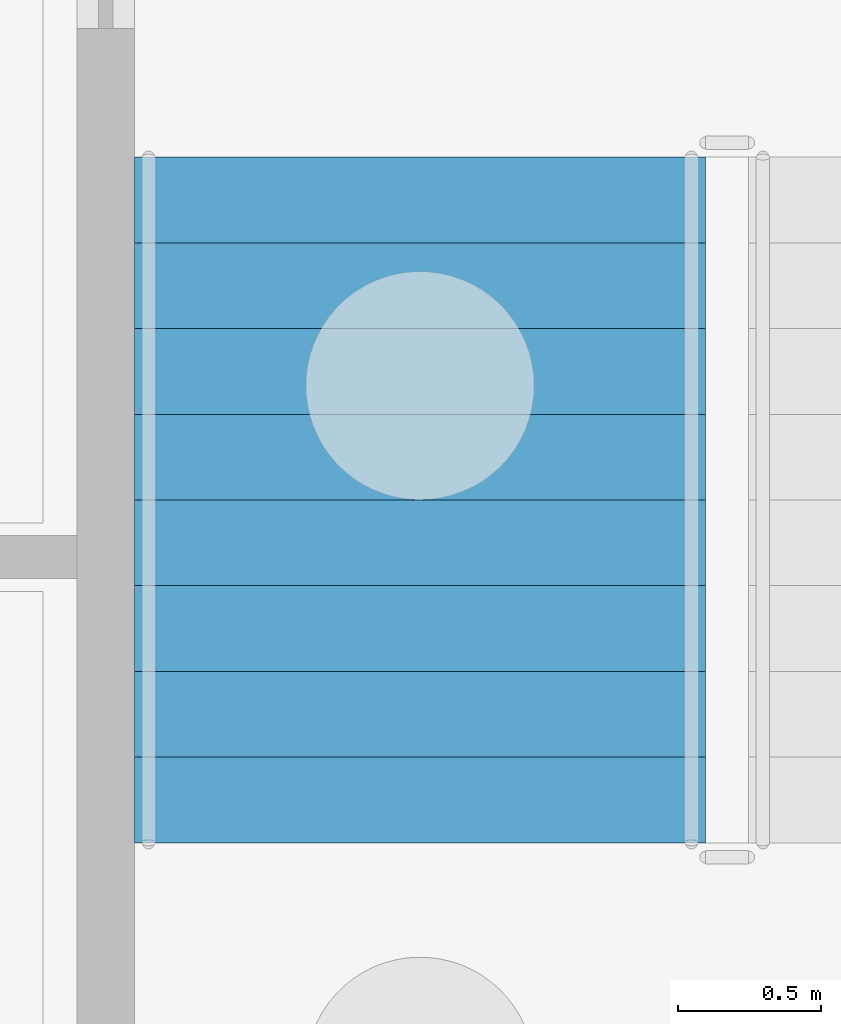
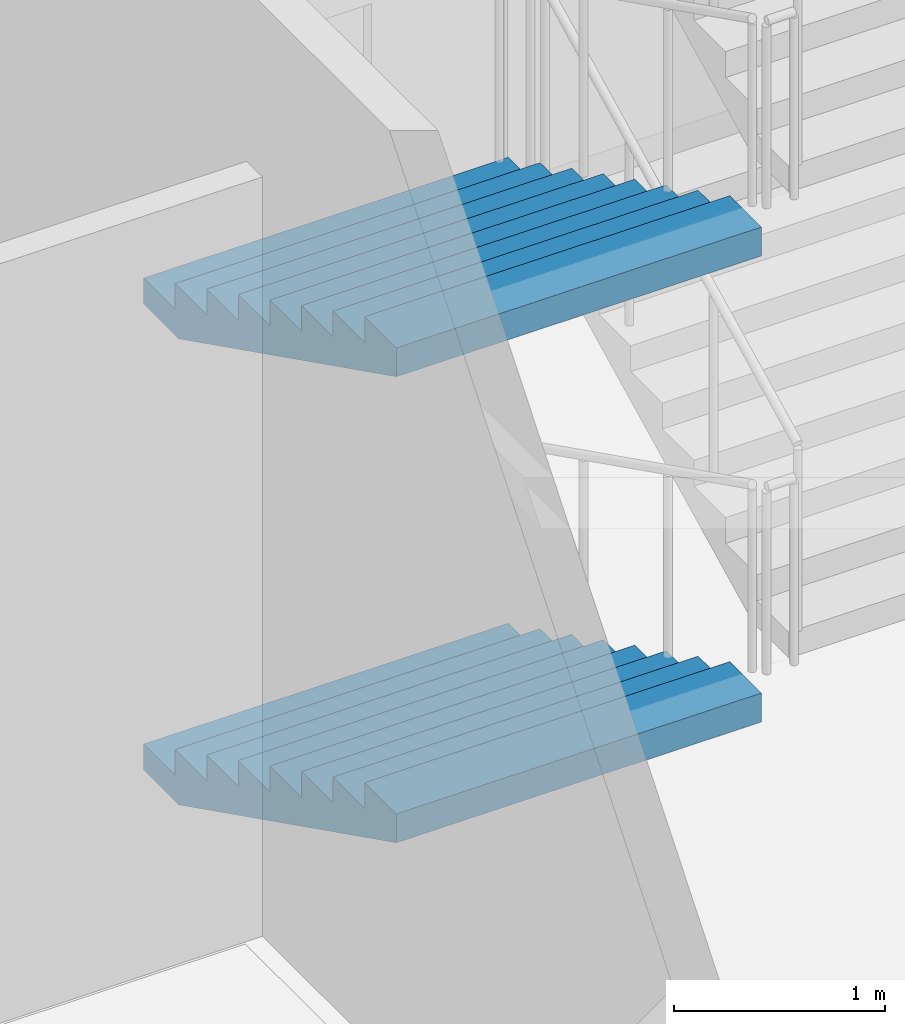
# One storey, part 92 of 129: 2 stair flights, 1 element without a shape of its own.
"""IFC4 building model written with IfcOpenShell, lengths in metres."""

from ifc_helpers import new_model, si_unit, direction, frame, origin, place, context, subcontext, project, spatial, faceted_brep, material, type_object, element, aggregate, save


model = new_model("IFC4")

# Units and contexts
model_context = context("Model", 3, precision=1e-05, world=origin(), true_north=direction((0.0, 1.0)))
body_context = subcontext(model_context, "Body", "Model", "MODEL_VIEW")
ifc_project = project(units=[si_unit("LENGTHUNIT", "METRE"), si_unit("AREAUNIT", "SQUARE_METRE"), si_unit("VOLUMEUNIT", "CUBIC_METRE"), si_unit("PLANEANGLEUNIT", "RADIAN"), si_unit("MASSUNIT", "GRAM", prefix="KILO")], contexts=[model_context])

# Site, building, storey
site_placement = place(None, origin())
site = spatial("IfcSite", under=ifc_project, at=site_placement, CompositionType="ELEMENT")
building_placement = place(site_placement, origin())
building = spatial("IfcBuilding", under=site, at=building_placement, Name="Kiln Court Media Centre", CompositionType="ELEMENT")
storey_placement = place(building_placement, origin())
storey = spatial("IfcBuildingStorey", under=building, at=storey_placement, Name="L00", CompositionType="ELEMENT", Elevation=0.0)

# Stair, stair flights
ifc_material_1 = material(Name="Concrete C40/50", Category="concrete")
stair_type = type_object("IfcStairType", Name="Concrete C40/50 dog-leg stair 2000 wide, 150 riser", PredefinedType="HALF_TURN_STAIR", material=ifc_material_1)
stair_placement = place(storey_placement, origin())
stair = element("IfcStair", 1, at=stair_placement, inside=storey, type_object=stair_type, Name="ST-12 L00", PredefinedType="HALF_TURN_STAIR")
ifc_material_2 = material(Name="Concrete C40/50", Category="concrete")
stair_flight_type = type_object("IfcStairFlightType", Name="Concrete C40/50 stair flight 2000 wide, 150 riser, 300 going", PredefinedType="STRAIGHT", material=ifc_material_2)
stair_flight_1_placement = place(storey_placement, frame((97.199951171875, 64.39990234375, 0.0), z_axis=(0.0, 0.0, 1.0), x_axis=(0.0, -1.0, 0.0)))
stair_flight_1 = element("IfcStairFlight", 2, at=stair_flight_1_placement, type_object=stair_flight_type, Name="L00-ST-5011 flight 5044", NumberOfRisers=9, NumberOfTreads=8, PredefinedType="STRAIGHT", RiserHeight=0.15, TreadLength=0.3, context=body_context, shape_type="Brep", body=[
    faceted_brep([(0.335205078125, -1.0, 0.0), (2.39990234375, -1.0, 1.032470703125), (2.39990234375, -1.0, 1.199951171875), (2.10009765625, -1.0, 1.199951171875), (2.10009765625, -1.0, 1.050048828125), (1.800048828125, -1.0, 1.050048828125), (1.800048828125, -1.0, 0.89990234375), (1.5, -1.0, 0.89990234375), (1.5, -1.0, 0.75), (1.199951171875, -1.0, 0.75), (1.199951171875, -1.0, 0.60009765625), (0.89990234375, -1.0, 0.60009765625), (0.89990234375, -1.0, 0.449951171875), (0.60009765625, -1.0, 0.449951171875), (0.60009765625, -1.0, 0.300048828125), (0.300048828125, -1.0, 0.300048828125), (0.300048828125, -1.0, 0.14990234375), (0.0, -1.0, 0.14990234375), (0.0, -1.0, 0.0), (0.0, 1.0, 0.0), (0.0, 1.0, 0.14990234375), (0.300048828125, 1.0, 0.14990234375), (0.300048828125, 1.0, 0.300048828125), (0.60009765625, 1.0, 0.300048828125), (0.60009765625, 1.0, 0.449951171875), (0.89990234375, 1.0, 0.449951171875), (0.89990234375, 1.0, 0.60009765625), (1.199951171875, 1.0, 0.60009765625), (1.199951171875, 1.0, 0.75), (1.5, 1.0, 0.75), (1.5, 1.0, 0.89990234375), (1.800048828125, 1.0, 0.89990234375), (1.800048828125, 1.0, 1.050048828125), (2.10009765625, 1.0, 1.050048828125), (2.10009765625, 1.0, 1.199951171875), (2.39990234375, 1.0, 1.199951171875), (2.39990234375, 1.0, 1.032470703125), (0.335205078125, 1.0, 0.0), (2.39990234375, 0.10009765625, 1.032470703125), (0.335205078125, 0.10009765625, 0.0), (2.39990234375, 0.080078125, 1.032470703125), (0.335205078125, 0.080078125, 0.0), (2.39990234375, 0.06005859375, 1.032470703125), (0.335205078125, 0.06005859375, 0.0), (2.39990234375, 0.0400390625, 1.032470703125), (0.335205078125, 0.0400390625, 0.0), (2.39990234375, 0.02001953125, 1.032470703125), (0.335205078125, 0.02001953125, 0.0), (2.39990234375, 0.0, 1.032470703125), (0.335205078125, 0.0, 0.0), (2.39990234375, -0.02001953125, 1.032470703125), (0.335205078125, -0.02001953125, 0.0), (2.39990234375, -0.0400390625, 1.032470703125), (0.335205078125, -0.0400390625, 0.0), (2.39990234375, -0.06005859375, 1.032470703125), (0.335205078125, -0.06005859375, 0.0), (2.39990234375, -0.080078125, 1.032470703125), (0.335205078125, -0.080078125, 0.0), (2.39990234375, -0.10009765625, 1.032470703125), (0.335205078125, -0.10009765625, 0.0), (2.39990234375, 0.10009765625, 1.199951171875), (2.39990234375, 0.080078125, 1.199951171875), (2.39990234375, 0.06005859375, 1.199951171875), (2.39990234375, 0.0400390625, 1.199951171875), (2.39990234375, 0.02001953125, 1.199951171875), (2.39990234375, 0.0, 1.199951171875), (2.39990234375, -0.02001953125, 1.199951171875), (2.39990234375, -0.0400390625, 1.199951171875), (2.39990234375, -0.06005859375, 1.199951171875), (2.39990234375, -0.080078125, 1.199951171875), (2.39990234375, -0.10009765625, 1.199951171875), (2.10009765625, 0.10009765625, 1.199951171875), (2.10009765625, 0.080078125, 1.199951171875), (2.10009765625, 0.06005859375, 1.199951171875), (2.10009765625, 0.0400390625, 1.199951171875), (2.10009765625, 0.02001953125, 1.199951171875), (2.10009765625, 0.0, 1.199951171875), (2.10009765625, -0.02001953125, 1.199951171875), (2.10009765625, -0.0400390625, 1.199951171875), (2.10009765625, -0.06005859375, 1.199951171875), (2.10009765625, -0.080078125, 1.199951171875), (2.10009765625, -0.10009765625, 1.199951171875), (2.10009765625, 0.10009765625, 1.050048828125), (2.10009765625, 0.080078125, 1.050048828125), (2.10009765625, 0.06005859375, 1.050048828125), (2.10009765625, 0.0400390625, 1.050048828125), (2.10009765625, 0.02001953125, 1.050048828125), (2.10009765625, 0.0, 1.050048828125), (2.10009765625, -0.02001953125, 1.050048828125), (2.10009765625, -0.0400390625, 1.050048828125), (2.10009765625, -0.06005859375, 1.050048828125), (2.10009765625, -0.080078125, 1.050048828125), (2.10009765625, -0.10009765625, 1.050048828125), (1.800048828125, 0.10009765625, 1.050048828125), (1.800048828125, 0.080078125, 1.050048828125), (1.800048828125, 0.06005859375, 1.050048828125), (1.800048828125, 0.0400390625, 1.050048828125), (1.800048828125, 0.02001953125, 1.050048828125), (1.800048828125, 0.0, 1.050048828125), (1.800048828125, -0.02001953125, 1.050048828125), (1.800048828125, -0.0400390625, 1.050048828125), (1.800048828125, -0.06005859375, 1.050048828125), (1.800048828125, -0.080078125, 1.050048828125), (1.800048828125, -0.10009765625, 1.050048828125), (1.800048828125, 0.10009765625, 0.89990234375), (1.800048828125, 0.080078125, 0.89990234375), (1.800048828125, 0.06005859375, 0.89990234375), (1.800048828125, 0.0400390625, 0.89990234375), (1.800048828125, 0.02001953125, 0.89990234375), (1.800048828125, 0.0, 0.89990234375), (1.800048828125, -0.02001953125, 0.89990234375), (1.800048828125, -0.0400390625, 0.89990234375), (1.800048828125, -0.06005859375, 0.89990234375), (1.800048828125, -0.080078125, 0.89990234375), (1.800048828125, -0.10009765625, 0.89990234375), (1.5, 0.10009765625, 0.89990234375), (1.5, 0.080078125, 0.89990234375), (1.5, 0.06005859375, 0.89990234375), (1.5, 0.0400390625, 0.89990234375), (1.5, 0.02001953125, 0.89990234375), (1.5, 0.0, 0.89990234375), (1.5, -0.02001953125, 0.89990234375), (1.5, -0.0400390625, 0.89990234375), (1.5, -0.06005859375, 0.89990234375), (1.5, -0.080078125, 0.89990234375), (1.5, -0.10009765625, 0.89990234375), (1.5, 0.10009765625, 0.75), (1.5, 0.080078125, 0.75), (1.5, 0.06005859375, 0.75), (1.5, 0.0400390625, 0.75), (1.5, 0.02001953125, 0.75), (1.5, 0.0, 0.75), (1.5, -0.02001953125, 0.75), (1.5, -0.0400390625, 0.75), (1.5, -0.06005859375, 0.75), (1.5, -0.080078125, 0.75), (1.5, -0.10009765625, 0.75), (1.199951171875, 0.10009765625, 0.75), (1.199951171875, 0.080078125, 0.75), (1.199951171875, 0.06005859375, 0.75), (1.199951171875, 0.0400390625, 0.75), (1.199951171875, 0.02001953125, 0.75), (1.199951171875, 0.0, 0.75), (1.199951171875, -0.02001953125, 0.75), (1.199951171875, -0.0400390625, 0.75), (1.199951171875, -0.06005859375, 0.75), (1.199951171875, -0.080078125, 0.75), (1.199951171875, -0.10009765625, 0.75), (1.199951171875, 0.10009765625, 0.60009765625), (1.199951171875, 0.080078125, 0.60009765625), (1.199951171875, 0.06005859375, 0.60009765625), (1.199951171875, 0.0400390625, 0.60009765625), (1.199951171875, 0.02001953125, 0.60009765625), (1.199951171875, 0.0, 0.60009765625), (1.199951171875, -0.02001953125, 0.60009765625), (1.199951171875, -0.0400390625, 0.60009765625), (1.199951171875, -0.06005859375, 0.60009765625), (1.199951171875, -0.080078125, 0.60009765625), (1.199951171875, -0.10009765625, 0.60009765625), (0.89990234375, 0.10009765625, 0.60009765625), (0.89990234375, 0.080078125, 0.60009765625), (0.89990234375, 0.06005859375, 0.60009765625), (0.89990234375, 0.0400390625, 0.60009765625), (0.89990234375, 0.02001953125, 0.60009765625), (0.89990234375, 0.0, 0.60009765625), (0.89990234375, -0.02001953125, 0.60009765625), (0.89990234375, -0.0400390625, 0.60009765625), (0.89990234375, -0.06005859375, 0.60009765625), (0.89990234375, -0.080078125, 0.60009765625), (0.89990234375, -0.10009765625, 0.60009765625), (0.89990234375, 0.10009765625, 0.449951171875), (0.89990234375, 0.080078125, 0.449951171875), (0.89990234375, 0.06005859375, 0.449951171875), (0.89990234375, 0.0400390625, 0.449951171875), (0.89990234375, 0.02001953125, 0.449951171875), (0.89990234375, 0.0, 0.449951171875), (0.89990234375, -0.02001953125, 0.449951171875), (0.89990234375, -0.0400390625, 0.449951171875), (0.89990234375, -0.06005859375, 0.449951171875), (0.89990234375, -0.080078125, 0.449951171875), (0.89990234375, -0.10009765625, 0.449951171875), (0.60009765625, 0.10009765625, 0.449951171875), (0.60009765625, 0.080078125, 0.449951171875), (0.60009765625, 0.06005859375, 0.449951171875), (0.60009765625, 0.0400390625, 0.449951171875), (0.60009765625, 0.02001953125, 0.449951171875), (0.60009765625, 0.0, 0.449951171875), (0.60009765625, -0.02001953125, 0.449951171875), (0.60009765625, -0.0400390625, 0.449951171875), (0.60009765625, -0.06005859375, 0.449951171875), (0.60009765625, -0.080078125, 0.449951171875), (0.60009765625, -0.10009765625, 0.449951171875), (0.60009765625, 0.10009765625, 0.300048828125), (0.60009765625, 0.080078125, 0.300048828125), (0.60009765625, 0.06005859375, 0.300048828125), (0.60009765625, 0.0400390625, 0.300048828125), (0.60009765625, 0.02001953125, 0.300048828125), (0.60009765625, 0.0, 0.300048828125), (0.60009765625, -0.02001953125, 0.300048828125), (0.60009765625, -0.0400390625, 0.300048828125), (0.60009765625, -0.06005859375, 0.300048828125), (0.60009765625, -0.080078125, 0.300048828125), (0.60009765625, -0.10009765625, 0.300048828125), (0.300048828125, 0.10009765625, 0.300048828125), (0.300048828125, 0.080078125, 0.300048828125), (0.300048828125, 0.06005859375, 0.300048828125), (0.300048828125, 0.0400390625, 0.300048828125), (0.300048828125, 0.02001953125, 0.300048828125), (0.300048828125, 0.0, 0.300048828125), (0.300048828125, -0.02001953125, 0.300048828125), (0.300048828125, -0.0400390625, 0.300048828125), (0.300048828125, -0.06005859375, 0.300048828125), (0.300048828125, -0.080078125, 0.300048828125), (0.300048828125, -0.10009765625, 0.300048828125), (0.300048828125, 0.10009765625, 0.14990234375), (0.300048828125, 0.080078125, 0.14990234375), (0.300048828125, 0.06005859375, 0.14990234375), (0.300048828125, 0.0400390625, 0.14990234375), (0.300048828125, 0.02001953125, 0.14990234375), (0.300048828125, 0.0, 0.14990234375), (0.300048828125, -0.02001953125, 0.14990234375), (0.300048828125, -0.0400390625, 0.14990234375), (0.300048828125, -0.06005859375, 0.14990234375), (0.300048828125, -0.080078125, 0.14990234375), (0.300048828125, -0.10009765625, 0.14990234375), (0.0, 0.10009765625, 0.14990234375), (0.0, 0.080078125, 0.14990234375), (0.0, 0.06005859375, 0.14990234375), (0.0, 0.0400390625, 0.14990234375), (0.0, 0.02001953125, 0.14990234375), (0.0, 0.0, 0.14990234375), (0.0, -0.02001953125, 0.14990234375), (0.0, -0.0400390625, 0.14990234375), (0.0, -0.06005859375, 0.14990234375), (0.0, -0.080078125, 0.14990234375), (0.0, -0.10009765625, 0.14990234375), (0.0, 0.10009765625, 0.0), (0.0, 0.080078125, 0.0), (0.0, 0.06005859375, 0.0), (0.0, 0.0400390625, 0.0), (0.0, 0.02001953125, 0.0), (0.0, 0.0, 0.0), (0.0, -0.02001953125, 0.0), (0.0, -0.0400390625, 0.0), (0.0, -0.06005859375, 0.0), (0.0, -0.080078125, 0.0), (0.0, -0.10009765625, 0.0)], [[[0, 1, 2, 3, 4, 5, 6, 7, 8, 9, 10, 11, 12, 13, 14, 15, 16, 17, 18]], [[19, 20, 21, 22, 23, 24, 25, 26, 27, 28, 29, 30, 31, 32, 33, 34, 35, 36, 37]], [[37, 36, 38, 39]], [[39, 38, 40, 41]], [[41, 40, 42, 43]], [[43, 42, 44, 45]], [[45, 44, 46, 47]], [[47, 46, 48, 49]], [[49, 48, 50, 51]], [[51, 50, 52, 53]], [[53, 52, 54, 55]], [[55, 54, 56, 57]], [[57, 56, 58, 59]], [[59, 58, 1, 0]], [[36, 35, 60, 38]], [[38, 60, 61, 40]], [[40, 61, 62, 42]], [[42, 62, 63, 44]], [[44, 63, 64, 46]], [[46, 64, 65, 48]], [[48, 65, 66, 50]], [[50, 66, 67, 52]], [[52, 67, 68, 54]], [[54, 68, 69, 56]], [[56, 69, 70, 58]], [[58, 70, 2, 1]], [[35, 34, 71, 60]], [[60, 71, 72, 61]], [[61, 72, 73, 62]], [[62, 73, 74, 63]], [[63, 74, 75, 64]], [[64, 75, 76, 65]], [[65, 76, 77, 66]], [[66, 77, 78, 67]], [[67, 78, 79, 68]], [[68, 79, 80, 69]], [[69, 80, 81, 70]], [[70, 81, 3, 2]], [[34, 33, 82, 71]], [[71, 82, 83, 72]], [[72, 83, 84, 73]], [[73, 84, 85, 74]], [[74, 85, 86, 75]], [[75, 86, 87, 76]], [[76, 87, 88, 77]], [[77, 88, 89, 78]], [[78, 89, 90, 79]], [[79, 90, 91, 80]], [[80, 91, 92, 81]], [[81, 92, 4, 3]], [[33, 32, 93, 82]], [[82, 93, 94, 83]], [[83, 94, 95, 84]], [[84, 95, 96, 85]], [[85, 96, 97, 86]], [[86, 97, 98, 87]], [[87, 98, 99, 88]], [[88, 99, 100, 89]], [[89, 100, 101, 90]], [[90, 101, 102, 91]], [[91, 102, 103, 92]], [[92, 103, 5, 4]], [[32, 31, 104, 93]], [[93, 104, 105, 94]], [[94, 105, 106, 95]], [[95, 106, 107, 96]], [[96, 107, 108, 97]], [[97, 108, 109, 98]], [[98, 109, 110, 99]], [[99, 110, 111, 100]], [[100, 111, 112, 101]], [[101, 112, 113, 102]], [[102, 113, 114, 103]], [[103, 114, 6, 5]], [[31, 30, 115, 104]], [[104, 115, 116, 105]], [[105, 116, 117, 106]], [[106, 117, 118, 107]], [[107, 118, 119, 108]], [[108, 119, 120, 109]], [[109, 120, 121, 110]], [[110, 121, 122, 111]], [[111, 122, 123, 112]], [[112, 123, 124, 113]], [[113, 124, 125, 114]], [[114, 125, 7, 6]], [[30, 29, 126, 115]], [[115, 126, 127, 116]], [[116, 127, 128, 117]], [[117, 128, 129, 118]], [[118, 129, 130, 119]], [[119, 130, 131, 120]], [[120, 131, 132, 121]], [[121, 132, 133, 122]], [[122, 133, 134, 123]], [[123, 134, 135, 124]], [[124, 135, 136, 125]], [[125, 136, 8, 7]], [[29, 28, 137, 126]], [[126, 137, 138, 127]], [[127, 138, 139, 128]], [[128, 139, 140, 129]], [[129, 140, 141, 130]], [[130, 141, 142, 131]], [[131, 142, 143, 132]], [[132, 143, 144, 133]], [[133, 144, 145, 134]], [[134, 145, 146, 135]], [[135, 146, 147, 136]], [[136, 147, 9, 8]], [[28, 27, 148, 137]], [[137, 148, 149, 138]], [[138, 149, 150, 139]], [[139, 150, 151, 140]], [[140, 151, 152, 141]], [[141, 152, 153, 142]], [[142, 153, 154, 143]], [[143, 154, 155, 144]], [[144, 155, 156, 145]], [[145, 156, 157, 146]], [[146, 157, 158, 147]], [[147, 158, 10, 9]], [[27, 26, 159, 148]], [[148, 159, 160, 149]], [[149, 160, 161, 150]], [[150, 161, 162, 151]], [[151, 162, 163, 152]], [[152, 163, 164, 153]], [[153, 164, 165, 154]], [[154, 165, 166, 155]], [[155, 166, 167, 156]], [[156, 167, 168, 157]], [[157, 168, 169, 158]], [[158, 169, 11, 10]], [[26, 25, 170, 159]], [[159, 170, 171, 160]], [[160, 171, 172, 161]], [[161, 172, 173, 162]], [[162, 173, 174, 163]], [[163, 174, 175, 164]], [[164, 175, 176, 165]], [[165, 176, 177, 166]], [[166, 177, 178, 167]], [[167, 178, 179, 168]], [[168, 179, 180, 169]], [[169, 180, 12, 11]], [[25, 24, 181, 170]], [[170, 181, 182, 171]], [[171, 182, 183, 172]], [[172, 183, 184, 173]], [[173, 184, 185, 174]], [[174, 185, 186, 175]], [[175, 186, 187, 176]], [[176, 187, 188, 177]], [[177, 188, 189, 178]], [[178, 189, 190, 179]], [[179, 190, 191, 180]], [[180, 191, 13, 12]], [[24, 23, 192, 181]], [[181, 192, 193, 182]], [[182, 193, 194, 183]], [[183, 194, 195, 184]], [[184, 195, 196, 185]], [[185, 196, 197, 186]], [[186, 197, 198, 187]], [[187, 198, 199, 188]], [[188, 199, 200, 189]], [[189, 200, 201, 190]], [[190, 201, 202, 191]], [[191, 202, 14, 13]], [[23, 22, 203, 192]], [[192, 203, 204, 193]], [[193, 204, 205, 194]], [[194, 205, 206, 195]], [[195, 206, 207, 196]], [[196, 207, 208, 197]], [[197, 208, 209, 198]], [[198, 209, 210, 199]], [[199, 210, 211, 200]], [[200, 211, 212, 201]], [[201, 212, 213, 202]], [[202, 213, 15, 14]], [[22, 21, 214, 203]], [[203, 214, 215, 204]], [[204, 215, 216, 205]], [[205, 216, 217, 206]], [[206, 217, 218, 207]], [[207, 218, 219, 208]], [[208, 219, 220, 209]], [[209, 220, 221, 210]], [[210, 221, 222, 211]], [[211, 222, 223, 212]], [[212, 223, 224, 213]], [[213, 224, 16, 15]], [[21, 20, 225, 214]], [[214, 225, 226, 215]], [[215, 226, 227, 216]], [[216, 227, 228, 217]], [[217, 228, 229, 218]], [[218, 229, 230, 219]], [[219, 230, 231, 220]], [[220, 231, 232, 221]], [[221, 232, 233, 222]], [[222, 233, 234, 223]], [[223, 234, 235, 224]], [[224, 235, 17, 16]], [[20, 19, 236, 225]], [[225, 236, 237, 226]], [[226, 237, 238, 227]], [[227, 238, 239, 228]], [[228, 239, 240, 229]], [[229, 240, 241, 230]], [[230, 241, 242, 231]], [[231, 242, 243, 232]], [[232, 243, 244, 233]], [[233, 244, 245, 234]], [[234, 245, 246, 235]], [[235, 246, 18, 17]], [[19, 37, 39, 236]], [[236, 39, 41, 237]], [[237, 41, 43, 238]], [[238, 43, 45, 239]], [[239, 45, 47, 240]], [[240, 47, 49, 241]], [[241, 49, 51, 242]], [[242, 51, 53, 243]], [[243, 53, 55, 244]], [[244, 55, 57, 245]], [[245, 57, 59, 246]], [[246, 59, 0, 18]]]),
])
stair_flight_2_placement = place(storey_placement, frame((97.199951171875, 64.39990234375, 2.699951171875), z_axis=(0.0, 0.0, 1.0), x_axis=(0.0, -1.0, 0.0)))
stair_flight_2 = element("IfcStairFlight", 3, at=stair_flight_2_placement, type_object=stair_flight_type, Name="L00-ST-5011 flight 5046", NumberOfRisers=9, NumberOfTreads=8, PredefinedType="STRAIGHT", RiserHeight=0.15, TreadLength=0.3, context=body_context, shape_type="Brep", body=[
    faceted_brep([(0.335205078125, -1.0, 0.0), (2.39990234375, -1.0, 1.032470703125), (2.39990234375, -1.0, 1.199951171875), (2.10009765625, -1.0, 1.199951171875), (2.10009765625, -1.0, 1.050048828125), (1.800048828125, -1.0, 1.050048828125), (1.800048828125, -1.0, 0.89990234375), (1.5, -1.0, 0.89990234375), (1.5, -1.0, 0.75), (1.199951171875, -1.0, 0.75), (1.199951171875, -1.0, 0.60009765625), (0.89990234375, -1.0, 0.60009765625), (0.89990234375, -1.0, 0.449951171875), (0.60009765625, -1.0, 0.449951171875), (0.60009765625, -1.0, 0.300048828125), (0.300048828125, -1.0, 0.300048828125), (0.300048828125, -1.0, 0.14990234375), (0.0, -1.0, 0.14990234375), (0.0, -1.0, 0.0), (0.0, 1.0, 0.0), (0.0, 1.0, 0.14990234375), (0.300048828125, 1.0, 0.14990234375), (0.300048828125, 1.0, 0.300048828125), (0.60009765625, 1.0, 0.300048828125), (0.60009765625, 1.0, 0.449951171875), (0.89990234375, 1.0, 0.449951171875), (0.89990234375, 1.0, 0.60009765625), (1.199951171875, 1.0, 0.60009765625), (1.199951171875, 1.0, 0.75), (1.5, 1.0, 0.75), (1.5, 1.0, 0.89990234375), (1.800048828125, 1.0, 0.89990234375), (1.800048828125, 1.0, 1.050048828125), (2.10009765625, 1.0, 1.050048828125), (2.10009765625, 1.0, 1.199951171875), (2.39990234375, 1.0, 1.199951171875), (2.39990234375, 1.0, 1.032470703125), (0.335205078125, 1.0, 0.0), (2.39990234375, 0.10009765625, 1.032470703125), (0.335205078125, 0.10009765625, 0.0), (2.39990234375, 0.080078125, 1.032470703125), (0.335205078125, 0.080078125, 0.0), (2.39990234375, 0.06005859375, 1.032470703125), (0.335205078125, 0.06005859375, 0.0), (2.39990234375, 0.0400390625, 1.032470703125), (0.335205078125, 0.0400390625, 0.0), (2.39990234375, 0.02001953125, 1.032470703125), (0.335205078125, 0.02001953125, 0.0), (2.39990234375, 0.0, 1.032470703125), (0.335205078125, 0.0, 0.0), (2.39990234375, -0.02001953125, 1.032470703125), (0.335205078125, -0.02001953125, 0.0), (2.39990234375, -0.0400390625, 1.032470703125), (0.335205078125, -0.0400390625, 0.0), (2.39990234375, -0.06005859375, 1.032470703125), (0.335205078125, -0.06005859375, 0.0), (2.39990234375, -0.080078125, 1.032470703125), (0.335205078125, -0.080078125, 0.0), (2.39990234375, -0.10009765625, 1.032470703125), (0.335205078125, -0.10009765625, 0.0), (2.39990234375, 0.10009765625, 1.199951171875), (2.39990234375, 0.080078125, 1.199951171875), (2.39990234375, 0.06005859375, 1.199951171875), (2.39990234375, 0.0400390625, 1.199951171875), (2.39990234375, 0.02001953125, 1.199951171875), (2.39990234375, 0.0, 1.199951171875), (2.39990234375, -0.02001953125, 1.199951171875), (2.39990234375, -0.0400390625, 1.199951171875), (2.39990234375, -0.06005859375, 1.199951171875), (2.39990234375, -0.080078125, 1.199951171875), (2.39990234375, -0.10009765625, 1.199951171875), (2.10009765625, 0.10009765625, 1.199951171875), (2.10009765625, 0.080078125, 1.199951171875), (2.10009765625, 0.06005859375, 1.199951171875), (2.10009765625, 0.0400390625, 1.199951171875), (2.10009765625, 0.02001953125, 1.199951171875), (2.10009765625, 0.0, 1.199951171875), (2.10009765625, -0.02001953125, 1.199951171875), (2.10009765625, -0.0400390625, 1.199951171875), (2.10009765625, -0.06005859375, 1.199951171875), (2.10009765625, -0.080078125, 1.199951171875), (2.10009765625, -0.10009765625, 1.199951171875), (2.10009765625, 0.10009765625, 1.050048828125), (2.10009765625, 0.080078125, 1.050048828125), (2.10009765625, 0.06005859375, 1.050048828125), (2.10009765625, 0.0400390625, 1.050048828125), (2.10009765625, 0.02001953125, 1.050048828125), (2.10009765625, 0.0, 1.050048828125), (2.10009765625, -0.02001953125, 1.050048828125), (2.10009765625, -0.0400390625, 1.050048828125), (2.10009765625, -0.06005859375, 1.050048828125), (2.10009765625, -0.080078125, 1.050048828125), (2.10009765625, -0.10009765625, 1.050048828125), (1.800048828125, 0.10009765625, 1.050048828125), (1.800048828125, 0.080078125, 1.050048828125), (1.800048828125, 0.06005859375, 1.050048828125), (1.800048828125, 0.0400390625, 1.050048828125), (1.800048828125, 0.02001953125, 1.050048828125), (1.800048828125, 0.0, 1.050048828125), (1.800048828125, -0.02001953125, 1.050048828125), (1.800048828125, -0.0400390625, 1.050048828125), (1.800048828125, -0.06005859375, 1.050048828125), (1.800048828125, -0.080078125, 1.050048828125), (1.800048828125, -0.10009765625, 1.050048828125), (1.800048828125, 0.10009765625, 0.89990234375), (1.800048828125, 0.080078125, 0.89990234375), (1.800048828125, 0.06005859375, 0.89990234375), (1.800048828125, 0.0400390625, 0.89990234375), (1.800048828125, 0.02001953125, 0.89990234375), (1.800048828125, 0.0, 0.89990234375), (1.800048828125, -0.02001953125, 0.89990234375), (1.800048828125, -0.0400390625, 0.89990234375), (1.800048828125, -0.06005859375, 0.89990234375), (1.800048828125, -0.080078125, 0.89990234375), (1.800048828125, -0.10009765625, 0.89990234375), (1.5, 0.10009765625, 0.89990234375), (1.5, 0.080078125, 0.89990234375), (1.5, 0.06005859375, 0.89990234375), (1.5, 0.0400390625, 0.89990234375), (1.5, 0.02001953125, 0.89990234375), (1.5, 0.0, 0.89990234375), (1.5, -0.02001953125, 0.89990234375), (1.5, -0.0400390625, 0.89990234375), (1.5, -0.06005859375, 0.89990234375), (1.5, -0.080078125, 0.89990234375), (1.5, -0.10009765625, 0.89990234375), (1.5, 0.10009765625, 0.75), (1.5, 0.080078125, 0.75), (1.5, 0.06005859375, 0.75), (1.5, 0.0400390625, 0.75), (1.5, 0.02001953125, 0.75), (1.5, 0.0, 0.75), (1.5, -0.02001953125, 0.75), (1.5, -0.0400390625, 0.75), (1.5, -0.06005859375, 0.75), (1.5, -0.080078125, 0.75), (1.5, -0.10009765625, 0.75), (1.199951171875, 0.10009765625, 0.75), (1.199951171875, 0.080078125, 0.75), (1.199951171875, 0.06005859375, 0.75), (1.199951171875, 0.0400390625, 0.75), (1.199951171875, 0.02001953125, 0.75), (1.199951171875, 0.0, 0.75), (1.199951171875, -0.02001953125, 0.75), (1.199951171875, -0.0400390625, 0.75), (1.199951171875, -0.06005859375, 0.75), (1.199951171875, -0.080078125, 0.75), (1.199951171875, -0.10009765625, 0.75), (1.199951171875, 0.10009765625, 0.60009765625), (1.199951171875, 0.080078125, 0.60009765625), (1.199951171875, 0.06005859375, 0.60009765625), (1.199951171875, 0.0400390625, 0.60009765625), (1.199951171875, 0.02001953125, 0.60009765625), (1.199951171875, 0.0, 0.60009765625), (1.199951171875, -0.02001953125, 0.60009765625), (1.199951171875, -0.0400390625, 0.60009765625), (1.199951171875, -0.06005859375, 0.60009765625), (1.199951171875, -0.080078125, 0.60009765625), (1.199951171875, -0.10009765625, 0.60009765625), (0.89990234375, 0.10009765625, 0.60009765625), (0.89990234375, 0.080078125, 0.60009765625), (0.89990234375, 0.06005859375, 0.60009765625), (0.89990234375, 0.0400390625, 0.60009765625), (0.89990234375, 0.02001953125, 0.60009765625), (0.89990234375, 0.0, 0.60009765625), (0.89990234375, -0.02001953125, 0.60009765625), (0.89990234375, -0.0400390625, 0.60009765625), (0.89990234375, -0.06005859375, 0.60009765625), (0.89990234375, -0.080078125, 0.60009765625), (0.89990234375, -0.10009765625, 0.60009765625), (0.89990234375, 0.10009765625, 0.449951171875), (0.89990234375, 0.080078125, 0.449951171875), (0.89990234375, 0.06005859375, 0.449951171875), (0.89990234375, 0.0400390625, 0.449951171875), (0.89990234375, 0.02001953125, 0.449951171875), (0.89990234375, 0.0, 0.449951171875), (0.89990234375, -0.02001953125, 0.449951171875), (0.89990234375, -0.0400390625, 0.449951171875), (0.89990234375, -0.06005859375, 0.449951171875), (0.89990234375, -0.080078125, 0.449951171875), (0.89990234375, -0.10009765625, 0.449951171875), (0.60009765625, 0.10009765625, 0.449951171875), (0.60009765625, 0.080078125, 0.449951171875), (0.60009765625, 0.06005859375, 0.449951171875), (0.60009765625, 0.0400390625, 0.449951171875), (0.60009765625, 0.02001953125, 0.449951171875), (0.60009765625, 0.0, 0.449951171875), (0.60009765625, -0.02001953125, 0.449951171875), (0.60009765625, -0.0400390625, 0.449951171875), (0.60009765625, -0.06005859375, 0.449951171875), (0.60009765625, -0.080078125, 0.449951171875), (0.60009765625, -0.10009765625, 0.449951171875), (0.60009765625, 0.10009765625, 0.300048828125), (0.60009765625, 0.080078125, 0.300048828125), (0.60009765625, 0.06005859375, 0.300048828125), (0.60009765625, 0.0400390625, 0.300048828125), (0.60009765625, 0.02001953125, 0.300048828125), (0.60009765625, 0.0, 0.300048828125), (0.60009765625, -0.02001953125, 0.300048828125), (0.60009765625, -0.0400390625, 0.300048828125), (0.60009765625, -0.06005859375, 0.300048828125), (0.60009765625, -0.080078125, 0.300048828125), (0.60009765625, -0.10009765625, 0.300048828125), (0.300048828125, 0.10009765625, 0.300048828125), (0.300048828125, 0.080078125, 0.300048828125), (0.300048828125, 0.06005859375, 0.300048828125), (0.300048828125, 0.0400390625, 0.300048828125), (0.300048828125, 0.02001953125, 0.300048828125), (0.300048828125, 0.0, 0.300048828125), (0.300048828125, -0.02001953125, 0.300048828125), (0.300048828125, -0.0400390625, 0.300048828125), (0.300048828125, -0.06005859375, 0.300048828125), (0.300048828125, -0.080078125, 0.300048828125), (0.300048828125, -0.10009765625, 0.300048828125), (0.300048828125, 0.10009765625, 0.14990234375), (0.300048828125, 0.080078125, 0.14990234375), (0.300048828125, 0.06005859375, 0.14990234375), (0.300048828125, 0.0400390625, 0.14990234375), (0.300048828125, 0.02001953125, 0.14990234375), (0.300048828125, 0.0, 0.14990234375), (0.300048828125, -0.02001953125, 0.14990234375), (0.300048828125, -0.0400390625, 0.14990234375), (0.300048828125, -0.06005859375, 0.14990234375), (0.300048828125, -0.080078125, 0.14990234375), (0.300048828125, -0.10009765625, 0.14990234375), (0.0, 0.10009765625, 0.14990234375), (0.0, 0.080078125, 0.14990234375), (0.0, 0.06005859375, 0.14990234375), (0.0, 0.0400390625, 0.14990234375), (0.0, 0.02001953125, 0.14990234375), (0.0, 0.0, 0.14990234375), (0.0, -0.02001953125, 0.14990234375), (0.0, -0.0400390625, 0.14990234375), (0.0, -0.06005859375, 0.14990234375), (0.0, -0.080078125, 0.14990234375), (0.0, -0.10009765625, 0.14990234375), (0.0, 0.10009765625, 0.0), (0.0, 0.080078125, 0.0), (0.0, 0.06005859375, 0.0), (0.0, 0.0400390625, 0.0), (0.0, 0.02001953125, 0.0), (0.0, 0.0, 0.0), (0.0, -0.02001953125, 0.0), (0.0, -0.0400390625, 0.0), (0.0, -0.06005859375, 0.0), (0.0, -0.080078125, 0.0), (0.0, -0.10009765625, 0.0)], [[[0, 1, 2, 3, 4, 5, 6, 7, 8, 9, 10, 11, 12, 13, 14, 15, 16, 17, 18]], [[19, 20, 21, 22, 23, 24, 25, 26, 27, 28, 29, 30, 31, 32, 33, 34, 35, 36, 37]], [[37, 36, 38, 39]], [[39, 38, 40, 41]], [[41, 40, 42, 43]], [[43, 42, 44, 45]], [[45, 44, 46, 47]], [[47, 46, 48, 49]], [[49, 48, 50, 51]], [[51, 50, 52, 53]], [[53, 52, 54, 55]], [[55, 54, 56, 57]], [[57, 56, 58, 59]], [[59, 58, 1, 0]], [[36, 35, 60, 38]], [[38, 60, 61, 40]], [[40, 61, 62, 42]], [[42, 62, 63, 44]], [[44, 63, 64, 46]], [[46, 64, 65, 48]], [[48, 65, 66, 50]], [[50, 66, 67, 52]], [[52, 67, 68, 54]], [[54, 68, 69, 56]], [[56, 69, 70, 58]], [[58, 70, 2, 1]], [[35, 34, 71, 60]], [[60, 71, 72, 61]], [[61, 72, 73, 62]], [[62, 73, 74, 63]], [[63, 74, 75, 64]], [[64, 75, 76, 65]], [[65, 76, 77, 66]], [[66, 77, 78, 67]], [[67, 78, 79, 68]], [[68, 79, 80, 69]], [[69, 80, 81, 70]], [[70, 81, 3, 2]], [[34, 33, 82, 71]], [[71, 82, 83, 72]], [[72, 83, 84, 73]], [[73, 84, 85, 74]], [[74, 85, 86, 75]], [[75, 86, 87, 76]], [[76, 87, 88, 77]], [[77, 88, 89, 78]], [[78, 89, 90, 79]], [[79, 90, 91, 80]], [[80, 91, 92, 81]], [[81, 92, 4, 3]], [[33, 32, 93, 82]], [[82, 93, 94, 83]], [[83, 94, 95, 84]], [[84, 95, 96, 85]], [[85, 96, 97, 86]], [[86, 97, 98, 87]], [[87, 98, 99, 88]], [[88, 99, 100, 89]], [[89, 100, 101, 90]], [[90, 101, 102, 91]], [[91, 102, 103, 92]], [[92, 103, 5, 4]], [[32, 31, 104, 93]], [[93, 104, 105, 94]], [[94, 105, 106, 95]], [[95, 106, 107, 96]], [[96, 107, 108, 97]], [[97, 108, 109, 98]], [[98, 109, 110, 99]], [[99, 110, 111, 100]], [[100, 111, 112, 101]], [[101, 112, 113, 102]], [[102, 113, 114, 103]], [[103, 114, 6, 5]], [[31, 30, 115, 104]], [[104, 115, 116, 105]], [[105, 116, 117, 106]], [[106, 117, 118, 107]], [[107, 118, 119, 108]], [[108, 119, 120, 109]], [[109, 120, 121, 110]], [[110, 121, 122, 111]], [[111, 122, 123, 112]], [[112, 123, 124, 113]], [[113, 124, 125, 114]], [[114, 125, 7, 6]], [[30, 29, 126, 115]], [[115, 126, 127, 116]], [[116, 127, 128, 117]], [[117, 128, 129, 118]], [[118, 129, 130, 119]], [[119, 130, 131, 120]], [[120, 131, 132, 121]], [[121, 132, 133, 122]], [[122, 133, 134, 123]], [[123, 134, 135, 124]], [[124, 135, 136, 125]], [[125, 136, 8, 7]], [[29, 28, 137, 126]], [[126, 137, 138, 127]], [[127, 138, 139, 128]], [[128, 139, 140, 129]], [[129, 140, 141, 130]], [[130, 141, 142, 131]], [[131, 142, 143, 132]], [[132, 143, 144, 133]], [[133, 144, 145, 134]], [[134, 145, 146, 135]], [[135, 146, 147, 136]], [[136, 147, 9, 8]], [[28, 27, 148, 137]], [[137, 148, 149, 138]], [[138, 149, 150, 139]], [[139, 150, 151, 140]], [[140, 151, 152, 141]], [[141, 152, 153, 142]], [[142, 153, 154, 143]], [[143, 154, 155, 144]], [[144, 155, 156, 145]], [[145, 156, 157, 146]], [[146, 157, 158, 147]], [[147, 158, 10, 9]], [[27, 26, 159, 148]], [[148, 159, 160, 149]], [[149, 160, 161, 150]], [[150, 161, 162, 151]], [[151, 162, 163, 152]], [[152, 163, 164, 153]], [[153, 164, 165, 154]], [[154, 165, 166, 155]], [[155, 166, 167, 156]], [[156, 167, 168, 157]], [[157, 168, 169, 158]], [[158, 169, 11, 10]], [[26, 25, 170, 159]], [[159, 170, 171, 160]], [[160, 171, 172, 161]], [[161, 172, 173, 162]], [[162, 173, 174, 163]], [[163, 174, 175, 164]], [[164, 175, 176, 165]], [[165, 176, 177, 166]], [[166, 177, 178, 167]], [[167, 178, 179, 168]], [[168, 179, 180, 169]], [[169, 180, 12, 11]], [[25, 24, 181, 170]], [[170, 181, 182, 171]], [[171, 182, 183, 172]], [[172, 183, 184, 173]], [[173, 184, 185, 174]], [[174, 185, 186, 175]], [[175, 186, 187, 176]], [[176, 187, 188, 177]], [[177, 188, 189, 178]], [[178, 189, 190, 179]], [[179, 190, 191, 180]], [[180, 191, 13, 12]], [[24, 23, 192, 181]], [[181, 192, 193, 182]], [[182, 193, 194, 183]], [[183, 194, 195, 184]], [[184, 195, 196, 185]], [[185, 196, 197, 186]], [[186, 197, 198, 187]], [[187, 198, 199, 188]], [[188, 199, 200, 189]], [[189, 200, 201, 190]], [[190, 201, 202, 191]], [[191, 202, 14, 13]], [[23, 22, 203, 192]], [[192, 203, 204, 193]], [[193, 204, 205, 194]], [[194, 205, 206, 195]], [[195, 206, 207, 196]], [[196, 207, 208, 197]], [[197, 208, 209, 198]], [[198, 209, 210, 199]], [[199, 210, 211, 200]], [[200, 211, 212, 201]], [[201, 212, 213, 202]], [[202, 213, 15, 14]], [[22, 21, 214, 203]], [[203, 214, 215, 204]], [[204, 215, 216, 205]], [[205, 216, 217, 206]], [[206, 217, 218, 207]], [[207, 218, 219, 208]], [[208, 219, 220, 209]], [[209, 220, 221, 210]], [[210, 221, 222, 211]], [[211, 222, 223, 212]], [[212, 223, 224, 213]], [[213, 224, 16, 15]], [[21, 20, 225, 214]], [[214, 225, 226, 215]], [[215, 226, 227, 216]], [[216, 227, 228, 217]], [[217, 228, 229, 218]], [[218, 229, 230, 219]], [[219, 230, 231, 220]], [[220, 231, 232, 221]], [[221, 232, 233, 222]], [[222, 233, 234, 223]], [[223, 234, 235, 224]], [[224, 235, 17, 16]], [[20, 19, 236, 225]], [[225, 236, 237, 226]], [[226, 237, 238, 227]], [[227, 238, 239, 228]], [[228, 239, 240, 229]], [[229, 240, 241, 230]], [[230, 241, 242, 231]], [[231, 242, 243, 232]], [[232, 243, 244, 233]], [[233, 244, 245, 234]], [[234, 245, 246, 235]], [[235, 246, 18, 17]], [[19, 37, 39, 236]], [[236, 39, 41, 237]], [[237, 41, 43, 238]], [[238, 43, 45, 239]], [[239, 45, 47, 240]], [[240, 47, 49, 241]], [[241, 49, 51, 242]], [[242, 51, 53, 243]], [[243, 53, 55, 244]], [[244, 55, 57, 245]], [[245, 57, 59, 246]], [[246, 59, 0, 18]]]),
])
aggregate(stair, [stair_flight_1, stair_flight_2])

save(model, "model.ifc")
